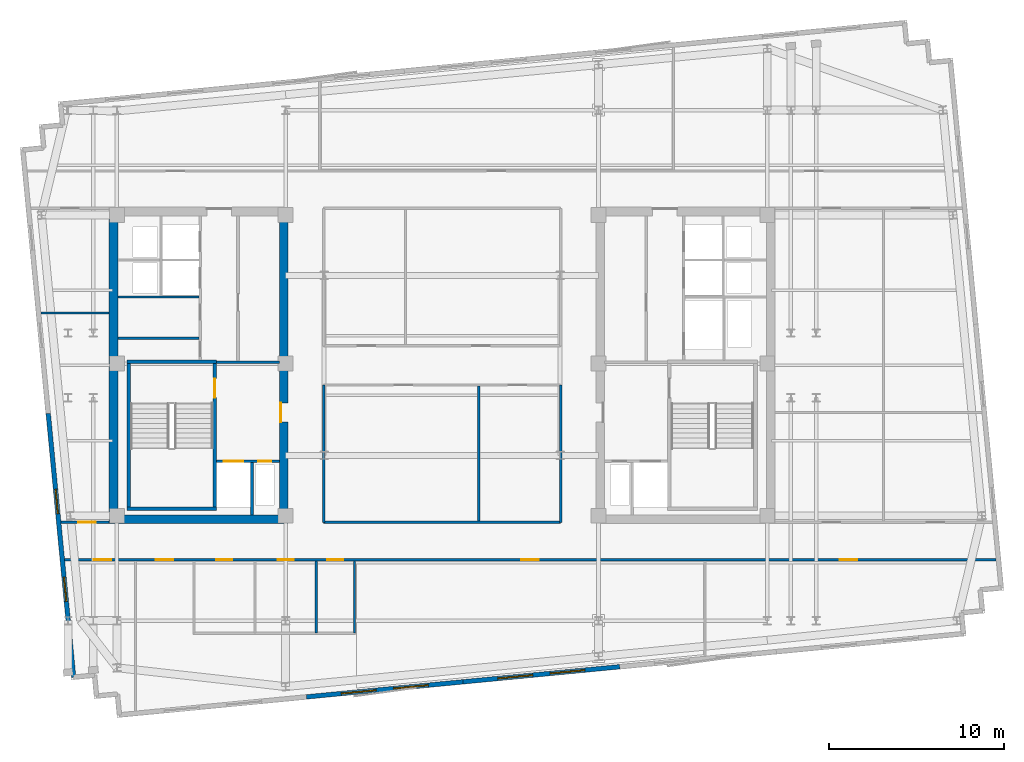
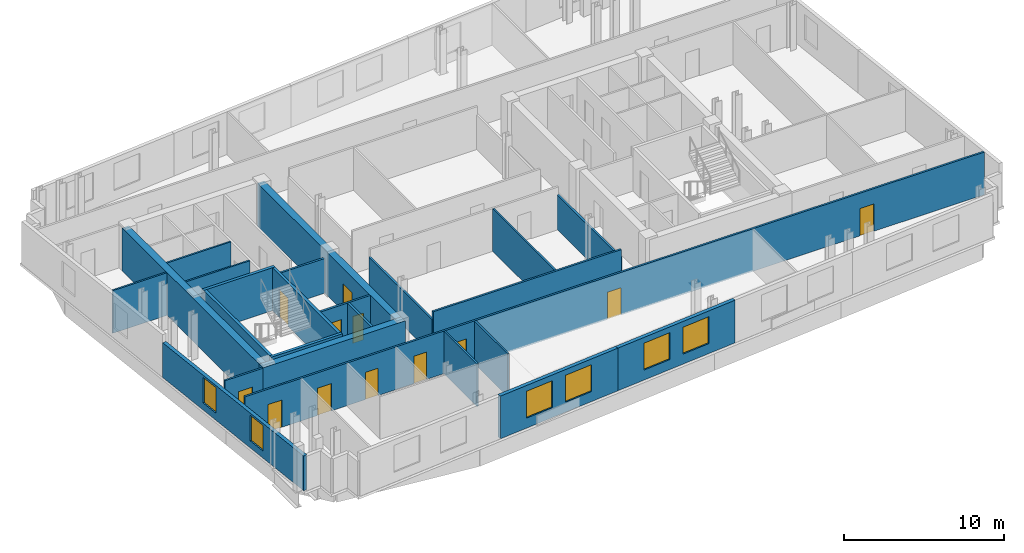
# One storey, part 3 of 8: 24 walls, 12 doors, 6 windows, 18 openings.
"""IFC4 building model written with IfcOpenShell, lengths in metres."""

from ifc_helpers import new_model, si_unit, direction, frame, frame_2d, origin, place, context, subcontext, project, spatial, rectangle, extrude, material, layer, layer_set, type_object, element, fill, save


model = new_model("IFC4")

# Units and contexts
model_context = context("Model", 3, precision=1e-05, world=origin(), true_north=direction((0.0, 1.0)))
body_context = subcontext(model_context, "Body", "Model", "MODEL_VIEW")
ifc_project = project(units=[si_unit("LENGTHUNIT", "METRE"), si_unit("AREAUNIT", "SQUARE_METRE"), si_unit("VOLUMEUNIT", "CUBIC_METRE"), si_unit("PLANEANGLEUNIT", "RADIAN"), si_unit("MASSUNIT", "GRAM", prefix="KILO")], contexts=[model_context])

# Site, building, storey
site_placement = place(None, origin())
site = spatial("IfcSite", under=ifc_project, at=site_placement, CompositionType="ELEMENT")
building_placement = place(site_placement, origin())
building = spatial("IfcBuilding", under=site, at=building_placement, Name="Velakula Bourse", CompositionType="ELEMENT")
storey_placement = place(building_placement, frame((0.0, 0.0, 251.699951171875)))
storey = spatial("IfcBuildingStorey", under=building, at=storey_placement, Name="L68", CompositionType="ELEMENT", Elevation=251.699951171875)

# Wall, opening, door
ifc_material_1 = material(Name="Concrete M50 (fck 50 MPa)", Category="concrete")
ifc_layer_1 = layer(ifc_material_1, 0.2099609375, Name="Concrete M50 (fck 50 MPa)", Category="concrete")
ifc_layer_set_1 = layer_set([ifc_layer_1], Name="Concrete M50 (fck 50 MPa)")
wall_type_1 = type_object("IfcWallType", Name="WL-CORE-210", PredefinedType="SHEAR", material=ifc_layer_set_1)
wall_1_placement = place(storey_placement, frame((-12.9951171875, -8.10009765625, 0.0), z_axis=(0.0, 0.0, 1.0), x_axis=(0.0, 1.0, 0.0)))
wall_1 = element("IfcWall", 1, at=wall_1_placement, inside=storey, type_object=wall_type_1, Name="L68 Core W Stairwell Shear Wall IN", PredefinedType="SHEAR", context=body_context, shape_type="SweptSolid", body=[
    extrude(rectangle(XDim=8.2001953125, YDim=0.2099609375, at=frame_2d((4.10009765625, 0.0))), origin(), (0.0, 0.0, 1.0), 3.27001953125),
])
opening_1_placement = place(wall_1_placement, frame((6.25, 0.0, 0.0)))
opening_1 = element("IfcOpeningElement", 2, at=opening_1_placement, cuts=wall_1, Name="Opening D-STW1", PredefinedType="OPENING", context=body_context, shape_type="SweptSolid", body=[
    extrude(rectangle(XDim=1.10009765625, YDim=2.14990234375, at=frame_2d((0.550048828125, 1.074951171875))), frame((0.0, 0.114990234375, 0.0), z_axis=(0.0, -1.0, 0.0), x_axis=(1.0, 0.0, 0.0)), (0.0, 0.0, 1.0), 0.22998046875),
])
ifc_material_2 = material(Name="Galvanised painted hollow steel fire door", Category="steel")
door_type_1 = type_object("IfcDoorType", Name="DR-FD120-1100x2150", OperationType="NOTDEFINED", PredefinedType="DOOR", material=ifc_material_2)
door_1_placement = place(opening_1_placement, origin())
door_1 = element("IfcDoor", 3, at=door_1_placement, inside=storey, type_object=door_type_1, Name="L68 Stair ST-W1 Fire Door", OperationType="SINGLE_SWING_LEFT", OverallHeight=2.14990234375, OverallWidth=1.10009765625, PredefinedType="DOOR", context=body_context, shape_type="SweptSolid", body=[
    extrude(rectangle(XDim=1.10009765625, YDim=2.14990234375, at=frame_2d((0.550048828125, 1.074951171875))), frame((0.0, 0.02490234375, 0.0), z_axis=(0.0, -1.0, 0.0), x_axis=(1.0, 0.0, 0.0)), (0.0, 0.0, 1.0), 0.050048828125),
])
fill(opening_1, door_1)

# Walls
wall_2_placement = place(storey_placement, frame((-17.925048828125, -8.10009765625, 0.0), z_axis=(0.0, 0.0, 1.0), x_axis=(0.0, 1.0, 0.0)))
element("IfcWall", 4, at=wall_2_placement, inside=storey, type_object=wall_type_1, Name="L68 Core W Stairwell Shear Wall OUT", PredefinedType="SHEAR", context=body_context, shape_type="SweptSolid", body=[
    extrude(rectangle(XDim=8.2001953125, YDim=0.2099609375, at=frame_2d((4.10009765625, 0.0))), origin(), (0.0, 0.0, 1.0), 3.27001953125),
])
for number, where, z_axis, x_axis, name in (
    (5, (-18.030029296875, -8.205078125, 0.0), (0.0, 0.0, 1.0), (1.0, 0.0, 0.0), "L68 Core W Stairwell Shear Wall S"),
    (6, (-12.889892578125, 0.205078125, 0.0), (0.0, 0.0, 1.0), (-1.0, 0.0, 0.0), "L68 Core W Stairwell Shear Wall N"),
):
    element("IfcWall", number, at=place(storey_placement, frame(where, z_axis=z_axis, x_axis=x_axis)), inside=storey, type_object=wall_type_1, Name=name, PredefinedType="SHEAR", context=body_context, shape_type="SweptSolid", body=[
        extrude(rectangle(XDim=5.14013671875, YDim=0.2099609375, at=frame_2d((2.570068359375, 0.0))), origin(), (0.0, 0.0, 1.0), 3.27001953125),
    ])
ifc_layer_2 = layer(ifc_material_1, 0.5, Name="Concrete M50 (fck 50 MPa)", Category="concrete")
ifc_layer_set_2 = layer_set([ifc_layer_2], Name="Concrete M50 (fck 50 MPa)")
wall_type_2 = type_object("IfcWallType", Name="WL-CORE-500", PredefinedType="SHEAR", material=ifc_layer_set_2)
wall_3_placement = place(storey_placement, frame((-19.050048828125, -8.800048828125, 0.0), z_axis=(0.0, 0.0, 1.0), x_axis=(1.0, 0.0, 0.0)))
element("IfcWall", 7, at=wall_3_placement, inside=storey, type_object=wall_type_2, Name="L68 Core W Shear Wall S", PredefinedType="SHEAR", context=body_context, shape_type="SweptSolid", body=[
    extrude(rectangle(XDim=10.25, YDim=0.5, at=frame_2d((5.125, 0.0))), origin(), (0.0, 0.0, 1.0), 3.27001953125),
])
wall_4_placement = place(storey_placement, frame((-18.800048828125, -8.550048828125, 0.0), z_axis=(0.0, 0.0, 1.0), x_axis=(0.0, 1.0, 0.0)))
element("IfcWall", 8, at=wall_4_placement, inside=storey, type_object=wall_type_2, Name="L68 Core W Shear Wall W", PredefinedType="SHEAR", context=body_context, shape_type="SweptSolid", body=[
    extrude(rectangle(XDim=17.10009765625, YDim=0.5, at=frame_2d((8.550048828125, 0.0))), origin(), (0.0, 0.0, 1.0), 3.27001953125),
])

# Wall, opening, door
wall_5_placement = place(storey_placement, frame((-9.050048828125, -8.550048828125, 0.0), z_axis=(0.0, 0.0, 1.0), x_axis=(0.0, 1.0, 0.0)))
wall_5 = element("IfcWall", 9, at=wall_5_placement, inside=storey, type_object=wall_type_2, Name="L68 Core W Shear Wall E", PredefinedType="SHEAR", context=body_context, shape_type="SweptSolid", body=[
    extrude(rectangle(XDim=17.10009765625, YDim=0.5, at=frame_2d((8.550048828125, 0.0))), origin(), (0.0, 0.0, 1.0), 3.27001953125),
])
opening_2_placement = place(wall_5_placement, frame((5.300048828125, 0.0, 0.0)))
opening_2 = element("IfcOpeningElement", 10, at=opening_2_placement, cuts=wall_5, Name="Opening D-FLW", PredefinedType="OPENING", context=body_context, shape_type="SweptSolid", body=[
    extrude(rectangle(XDim=1.10009765625, YDim=2.080078125, at=frame_2d((0.550048828125, 1.0400390625))), frame((0.0, 0.260009765625, 0.0), z_axis=(0.0, -1.0, 0.0), x_axis=(1.0, 0.0, 0.0)), (0.0, 0.0, 1.0), 0.52001953125),
])
door_type_2 = type_object("IfcDoorType", Name="DR-FD120-1100", OperationType="NOTDEFINED", PredefinedType="DOOR", material=ifc_material_2)
door_2_placement = place(opening_2_placement, origin())
door_2 = element("IfcDoor", 11, at=door_2_placement, inside=storey, type_object=door_type_2, Name="L68 Firefighting Lobby W Corridor Fire Door", OperationType="SINGLE_SWING_LEFT", OverallHeight=2.080078125, OverallWidth=1.10009765625, PredefinedType="DOOR", context=body_context, shape_type="SweptSolid", body=[
    extrude(rectangle(XDim=1.10009765625, YDim=2.080078125, at=frame_2d((0.550048828125, 1.0400390625))), frame((0.0, 0.205078125, 0.0), z_axis=(0.0, -1.0, 0.0), x_axis=(1.0, 0.0, 0.0)), (0.0, 0.0, 1.0), 0.050048828125),
])
fill(opening_2, door_2)

# Wall, openings, windows
ifc_material_3 = material(Name="Buff kilned clay facing brick masonry", Category="masonry")
ifc_layer_3 = layer(ifc_material_3, 0.260009765625, Name="Buff kilned clay facing brick masonry", Category="masonry")
ifc_layer_set_3 = layer_set([ifc_layer_3], Name="Buff kilned clay facing brick masonry")
wall_type_3 = type_object("IfcWallType", Name="WL-EXT-BRK-260", PredefinedType="STANDARD", material=ifc_layer_set_3)
wall_6_placement = place(storey_placement, frame((1.202880859375, -18.1005859375, 0.0), z_axis=(0.0, 0.0, 1.0), x_axis=(-0.995397043619, -0.095836973841, 0.0)))
wall_6 = element("IfcWall", 12, at=wall_6_placement, inside=storey, type_object=wall_type_3, Name="L68 S Brick Spandrel Wall B2", PredefinedType="STANDARD", context=body_context, shape_type="SweptSolid", body=[
    extrude(rectangle(XDim=9.000244140625, YDim=0.260009765625, at=frame_2d((4.5, 0.0))), origin(), (0.0, 0.0, 1.0), 3.25),
])
opening_3_placement = place(wall_6_placement, frame((2.0, 0.0, 0.760009765625)))
opening_3 = element("IfcOpeningElement", 13, at=opening_3_placement, cuts=wall_6, Name="Opening W-05", PredefinedType="OPENING", context=body_context, shape_type="SweptSolid", body=[
    extrude(rectangle(XDim=2.0, YDim=2.050048828125, at=frame_2d((1.0, 1.02490234375))), frame((0.0, 0.139892578125, 0.0), z_axis=(0.0, -1.0, 0.0), x_axis=(1.0, 0.0, 0.0)), (0.0, 0.0, 1.0), 0.280029296875),
])
opening_4_placement = place(wall_6_placement, frame((5.0, 0.0, 0.760009765625)))
opening_4 = element("IfcOpeningElement", 14, at=opening_4_placement, cuts=wall_6, Name="Opening W-05", PredefinedType="OPENING", context=body_context, shape_type="SweptSolid", body=[
    extrude(rectangle(XDim=2.0, YDim=2.050048828125, at=frame_2d((1.0, 1.02490234375))), frame((0.0, 0.139892578125, 0.0), z_axis=(0.0, -1.0, 0.0), x_axis=(1.0, 0.0, 0.0)), (0.0, 0.0, 1.0), 0.280029296875),
])
ifc_material_4 = material(Name="Double-glazed solar-control Low-E glass", Category="glass")
window_type_1 = type_object("IfcWindowType", Name="WIN-TWR-2000x2200", PartitioningType="DOUBLE_PANEL_VERTICAL", PredefinedType="WINDOW", material=ifc_material_4)
window_1_placement = place(opening_3_placement, origin())
window_1 = element("IfcWindow", 15, at=window_1_placement, inside=storey, type_object=window_type_1, Name="L68 Deep-Set Recessed Window 1", OverallHeight=2.050048828125, OverallWidth=2.0, PartitioningType="DOUBLE_PANEL_VERTICAL", PredefinedType="WINDOW", context=body_context, shape_type="SweptSolid", body=[
    extrude(rectangle(XDim=2.0, YDim=2.050048828125, at=frame_2d((1.0, 1.02490234375))), frame((0.0, 0.030029296875, 0.0), z_axis=(0.0, -1.0, 0.0), x_axis=(1.0, 0.0, 0.0)), (0.0, 0.0, 1.0), 0.06005859375),
])
fill(opening_3, window_1)
window_2_placement = place(opening_4_placement, origin())
window_2 = element("IfcWindow", 16, at=window_2_placement, inside=storey, type_object=window_type_1, Name="L68 Deep-Set Recessed Window 2", OverallHeight=2.050048828125, OverallWidth=2.0, PartitioningType="DOUBLE_PANEL_VERTICAL", PredefinedType="WINDOW", context=body_context, shape_type="SweptSolid", body=[
    extrude(rectangle(XDim=2.0, YDim=2.050048828125, at=frame_2d((1.0, 1.02490234375))), frame((0.0, 0.030029296875, 0.0), z_axis=(0.0, -1.0, 0.0), x_axis=(1.0, 0.0, 0.0)), (0.0, 0.0, 1.0), 0.06005859375),
])
fill(opening_4, window_2)

wall_7_placement = place(storey_placement, frame((10.161376953125, -17.23779296875, 0.0), z_axis=(0.0, 0.0, 1.0), x_axis=(-0.995394206237, -0.095866439332, 0.0)))
wall_7 = element("IfcWall", 17, at=wall_7_placement, inside=storey, type_object=wall_type_3, Name="L68 S Brick Spandrel Wall B3", PredefinedType="STANDARD", context=body_context, shape_type="SweptSolid", body=[
    extrude(rectangle(XDim=9.0, YDim=0.260009765625, at=frame_2d((4.5, 0.0))), origin(), (0.0, 0.0, 1.0), 3.25),
])
opening_5_placement = place(wall_7_placement, frame((2.0, 0.0, 0.760009765625)))
opening_5 = element("IfcOpeningElement", 18, at=opening_5_placement, cuts=wall_7, Name="Opening W-05", PredefinedType="OPENING", context=body_context, shape_type="SweptSolid", body=[
    extrude(rectangle(XDim=2.0, YDim=2.050048828125, at=frame_2d((1.0, 1.02490234375))), frame((0.0, 0.139892578125, 0.0), z_axis=(0.0, -1.0, 0.0), x_axis=(1.0, 0.0, 0.0)), (0.0, 0.0, 1.0), 0.280029296875),
])
opening_6_placement = place(wall_7_placement, frame((5.0, 0.0, 0.760009765625)))
opening_6 = element("IfcOpeningElement", 19, at=opening_6_placement, cuts=wall_7, Name="Opening W-05", PredefinedType="OPENING", context=body_context, shape_type="SweptSolid", body=[
    extrude(rectangle(XDim=2.0, YDim=2.050048828125, at=frame_2d((1.0, 1.02490234375))), frame((0.0, 0.139892578125, 0.0), z_axis=(0.0, -1.0, 0.0), x_axis=(1.0, 0.0, 0.0)), (0.0, 0.0, 1.0), 0.280029296875),
])
window_3_placement = place(opening_5_placement, origin())
window_3 = element("IfcWindow", 20, at=window_3_placement, inside=storey, type_object=window_type_1, Name="L68 Deep-Set Recessed Window 1", OverallHeight=2.050048828125, OverallWidth=2.0, PartitioningType="DOUBLE_PANEL_VERTICAL", PredefinedType="WINDOW", context=body_context, shape_type="SweptSolid", body=[
    extrude(rectangle(XDim=2.0, YDim=2.050048828125, at=frame_2d((1.0, 1.02490234375))), frame((0.0, 0.030029296875, 0.0), z_axis=(0.0, -1.0, 0.0), x_axis=(1.0, 0.0, 0.0)), (0.0, 0.0, 1.0), 0.06005859375),
])
fill(opening_5, window_3)
window_4_placement = place(opening_6_placement, origin())
window_4 = element("IfcWindow", 21, at=window_4_placement, inside=storey, type_object=window_type_1, Name="L68 Deep-Set Recessed Window 2", OverallHeight=2.050048828125, OverallWidth=2.0, PartitioningType="DOUBLE_PANEL_VERTICAL", PredefinedType="WINDOW", context=body_context, shape_type="SweptSolid", body=[
    extrude(rectangle(XDim=2.0, YDim=2.050048828125, at=frame_2d((1.0, 1.02490234375))), frame((0.0, 0.030029296875, 0.0), z_axis=(0.0, -1.0, 0.0), x_axis=(1.0, 0.0, 0.0)), (0.0, 0.0, 1.0), 0.06005859375),
])
fill(opening_6, window_4)

wall_8_placement = place(storey_placement, frame((-21.0751953125, -17.83447265625, 0.0), z_axis=(0.0, 0.0, 1.0), x_axis=(-0.095852427869, 0.995395555582, 0.0)))
wall_8 = element("IfcWall", 22, at=wall_8_placement, inside=storey, type_object=wall_type_3, Name="L68 W Brick End Wall W1", PredefinedType="STANDARD", context=body_context, shape_type="SweptSolid", body=[
    extrude(rectangle(XDim=15.14990234375, YDim=0.260009765625, at=frame_2d((7.574951171875, 0.0))), origin(), (0.0, 0.0, 1.0), 2.64501953125),
])
opening_7_placement = place(wall_8_placement, frame((4.35009765625, 0.0, 0.534912109375)))
opening_7 = element("IfcOpeningElement", 23, at=opening_7_placement, cuts=wall_8, Name="Opening W-03", PredefinedType="OPENING", context=body_context, shape_type="SweptSolid", body=[
    extrude(rectangle(XDim=1.39990234375, YDim=1.949951171875, at=frame_2d((0.699951171875, 0.97509765625))), frame((0.0, 0.139892578125, 0.0), z_axis=(0.0, -1.0, 0.0), x_axis=(1.0, 0.0, 0.0)), (0.0, 0.0, 1.0), 0.280029296875),
])
opening_8_placement = place(wall_8_placement, frame((9.39990234375, 0.0, 0.534912109375)))
opening_8 = element("IfcOpeningElement", 24, at=opening_8_placement, cuts=wall_8, Name="Opening W-03", PredefinedType="OPENING", context=body_context, shape_type="SweptSolid", body=[
    extrude(rectangle(XDim=1.39990234375, YDim=1.949951171875, at=frame_2d((0.699951171875, 0.97509765625))), frame((0.0, 0.139892578125, 0.0), z_axis=(0.0, -1.0, 0.0), x_axis=(1.0, 0.0, 0.0)), (0.0, 0.0, 1.0), 0.280029296875),
])
window_type_2 = type_object("IfcWindowType", Name="WIN-TWR-1400x2100", PartitioningType="SINGLE_PANEL", PredefinedType="WINDOW", material=ifc_material_4)
window_5_placement = place(opening_7_placement, origin())
window_5 = element("IfcWindow", 25, at=window_5_placement, inside=storey, type_object=window_type_2, Name="L68 Deep-Set Recessed Window 1", OverallHeight=1.949951171875, OverallWidth=1.39990234375, PartitioningType="SINGLE_PANEL", PredefinedType="WINDOW", context=body_context, shape_type="SweptSolid", body=[
    extrude(rectangle(XDim=1.39990234375, YDim=1.949951171875, at=frame_2d((0.699951171875, 0.97509765625))), frame((0.0, 0.030029296875, 0.0), z_axis=(0.0, -1.0, 0.0), x_axis=(1.0, 0.0, 0.0)), (0.0, 0.0, 1.0), 0.06005859375),
])
fill(opening_7, window_5)
window_6_placement = place(opening_8_placement, origin())
window_6 = element("IfcWindow", 26, at=window_6_placement, inside=storey, type_object=window_type_2, Name="L68 Deep-Set Recessed Window 2", OverallHeight=1.949951171875, OverallWidth=1.39990234375, PartitioningType="SINGLE_PANEL", PredefinedType="WINDOW", context=body_context, shape_type="SweptSolid", body=[
    extrude(rectangle(XDim=1.39990234375, YDim=1.949951171875, at=frame_2d((0.699951171875, 0.97509765625))), frame((0.0, 0.030029296875, 0.0), z_axis=(0.0, -1.0, 0.0), x_axis=(1.0, 0.0, 0.0)), (0.0, 0.0, 1.0), 0.06005859375),
])
fill(opening_8, window_6)

# Walls
ifc_material_5 = material(Name="Fire-rated double-layer gypsum drywall partition", Category="gypsum")
ifc_layer_4 = layer(ifc_material_5, 0.1201171875, Name="Fire-rated double-layer gypsum drywall partition", Category="gypsum")
ifc_layer_set_4 = layer_set([ifc_layer_4], Name="Fire-rated double-layer gypsum drywall partition")
wall_type_4 = type_object("IfcWallType", Name="WL-PART-120", PredefinedType="STANDARD", material=ifc_layer_set_4)
for number, where, z_axis, x_axis, name in (
    (27, (-18.550048828125, 3.919921875, 0.0), (0.0, 0.0, 1.0), (1.0, 0.0, 0.0), "L68 Interior Partition WL-CRW-L68-HI-S"),
    (28, (-18.550048828125, 1.550048828125, 0.0), (0.0, 0.0, 1.0), (1.0, 0.0, 0.0), "L68 Interior Partition WL-CRW-L68-K1"),
):
    element("IfcWall", number, at=place(storey_placement, frame(where, z_axis=z_axis, x_axis=x_axis)), inside=storey, type_object=wall_type_4, Name=name, PredefinedType="STANDARD", context=body_context, shape_type="SweptSolid", body=[
        extrude(rectangle(XDim=4.650146484375, YDim=0.1201171875, at=frame_2d((2.3251953125, 0.0))), origin(), (0.0, 0.0, 1.0), 3.25),
    ])
for number, where, z_axis, x_axis, name in (
    (29, (-7.199951171875, -15.320068359375, 0.0), (0.0, 0.0, 1.0), (0.0, 1.0, 0.0), "L68 Interior Partition WL-WC-L68-V3"),
    (30, (-5.0, -15.320068359375, 0.0), (0.0, 0.0, 1.0), (0.0, 1.0, 0.0), "L68 Interior Partition WL-WC-L68-V4"),
):
    element("IfcWall", number, at=place(storey_placement, frame(where, z_axis=z_axis, x_axis=x_axis)), inside=storey, type_object=wall_type_4, Name=name, PredefinedType="STANDARD", context=body_context, shape_type="SweptSolid", body=[
        extrude(rectangle(XDim=4.130126953125, YDim=0.1201171875, at=frame_2d((2.06494140625, 0.0))), origin(), (0.0, 0.0, 1.0), 3.25),
    ])
wall_9_placement = place(storey_placement, frame((-22.95068359375, 3.0, 0.0), z_axis=(0.0, 0.0, 1.0), x_axis=(1.0, 0.0, 0.0)))
element("IfcWall", 31, at=wall_9_placement, inside=storey, type_object=wall_type_4, Name="L68 Interior Partition WL-INT-L68-W-H", PredefinedType="STANDARD", context=body_context, shape_type="SweptSolid", body=[
    extrude(rectangle(XDim=3.900634765625, YDim=0.1201171875, at=frame_2d((1.9501953125, 0.0))), origin(), (0.0, 0.0, 1.0), 3.25),
])

# Wall, openings, doors
ifc_layer_5 = layer(ifc_material_5, 0.139892578125, Name="Fire-rated double-layer gypsum drywall partition", Category="gypsum")
ifc_layer_set_5 = layer_set([ifc_layer_5], Name="Fire-rated double-layer gypsum drywall partition")
wall_type_5 = type_object("IfcWallType", Name="WL-PART-140", PredefinedType="STANDARD", material=ifc_layer_set_5)
wall_10_placement = place(storey_placement, frame((-21.59130859375, -11.1201171875, 0.0), z_axis=(0.0, 0.0, 1.0), x_axis=(1.0, 0.0, 0.0)))
wall_10 = element("IfcWall", 32, at=wall_10_placement, inside=storey, type_object=wall_type_5, Name="L68 Interior Partition WL-INT-L68-S-CORR", PredefinedType="STANDARD", context=body_context, shape_type="SweptSolid", body=[
    extrude(rectangle(XDim=53.285400390625, YDim=0.139892578125, at=frame_2d((26.642578125, 0.0))), origin(), (0.0, 0.0, 1.0), 3.25),
])
opening_9_placement = place(wall_10_placement, frame((8.68115234375, 0.0, 0.0)))
opening_9 = element("IfcOpeningElement", 33, at=opening_9_placement, cuts=wall_10, Name="Opening D-WT1", PredefinedType="OPENING", context=body_context, shape_type="SweptSolid", body=[
    extrude(rectangle(XDim=0.919921875, YDim=2.080078125, at=frame_2d((0.4599609375, 1.0400390625))), frame((0.0, 0.079833984375, 0.0), z_axis=(0.0, -1.0, 0.0), x_axis=(1.0, 0.0, 0.0)), (0.0, 0.0, 1.0), 0.159912109375),
])
opening_10_placement = place(wall_10_placement, frame((12.18115234375, 0.0, 0.0)))
opening_10 = element("IfcOpeningElement", 34, at=opening_10_placement, cuts=wall_10, Name="Opening D-WT1", PredefinedType="OPENING", context=body_context, shape_type="SweptSolid", body=[
    extrude(rectangle(XDim=0.919921875, YDim=2.080078125, at=frame_2d((0.4599609375, 1.0400390625))), frame((0.0, 0.079833984375, 0.0), z_axis=(0.0, -1.0, 0.0), x_axis=(1.0, 0.0, 0.0)), (0.0, 0.0, 1.0), 0.159912109375),
])
opening_11_placement = place(wall_10_placement, frame((15.03125, 0.0, 0.0)))
opening_11 = element("IfcOpeningElement", 35, at=opening_11_placement, cuts=wall_10, Name="Opening D-WC1", PredefinedType="OPENING", context=body_context, shape_type="SweptSolid", body=[
    extrude(rectangle(XDim=0.919921875, YDim=2.080078125, at=frame_2d((0.4599609375, 1.0400390625))), frame((0.0, 0.079833984375, 0.0), z_axis=(0.0, -1.0, 0.0), x_axis=(1.0, 0.0, 0.0)), (0.0, 0.0, 1.0), 0.159912109375),
])
opening_12_placement = place(wall_10_placement, frame((1.655517578125, 0.0, 0.0)))
opening_12 = element("IfcOpeningElement", 36, at=opening_12_placement, cuts=wall_10, Name="Opening D-OF1", PredefinedType="OPENING", context=body_context, shape_type="SweptSolid", body=[
    extrude(rectangle(XDim=1.0, YDim=2.080078125, at=frame_2d((0.5, 1.0400390625))), frame((0.0, 0.079833984375, 0.0), z_axis=(0.0, -1.0, 0.0), x_axis=(1.0, 0.0, 0.0)), (0.0, 0.0, 1.0), 0.159912109375),
])
opening_13_placement = place(wall_10_placement, frame((5.22509765625, 0.0, 0.0)))
opening_13 = element("IfcOpeningElement", 37, at=opening_13_placement, cuts=wall_10, Name="Opening D-OF1", PredefinedType="OPENING", context=body_context, shape_type="SweptSolid", body=[
    extrude(rectangle(XDim=1.0, YDim=2.080078125, at=frame_2d((0.5, 1.0400390625))), frame((0.0, 0.079833984375, 0.0), z_axis=(0.0, -1.0, 0.0), x_axis=(1.0, 0.0, 0.0)), (0.0, 0.0, 1.0), 0.159912109375),
])
opening_14_placement = place(wall_10_placement, frame((26.11181640625, 0.0, 0.0)))
opening_14 = element("IfcOpeningElement", 38, at=opening_14_placement, cuts=wall_10, Name="Opening D-OF1", PredefinedType="OPENING", context=body_context, shape_type="SweptSolid", body=[
    extrude(rectangle(XDim=1.0, YDim=2.080078125, at=frame_2d((0.5, 1.0400390625))), frame((0.0, 0.079833984375, 0.0), z_axis=(0.0, -1.0, 0.0), x_axis=(1.0, 0.0, 0.0)), (0.0, 0.0, 1.0), 0.159912109375),
])
opening_15_placement = place(wall_10_placement, frame((44.332763671875, 0.0, 0.0)))
opening_15 = element("IfcOpeningElement", 39, at=opening_15_placement, cuts=wall_10, Name="Opening D-OF1", PredefinedType="OPENING", context=body_context, shape_type="SweptSolid", body=[
    extrude(rectangle(XDim=1.0, YDim=2.080078125, at=frame_2d((0.5, 1.0400390625))), frame((0.0, 0.079833984375, 0.0), z_axis=(0.0, -1.0, 0.0), x_axis=(1.0, 0.0, 0.0)), (0.0, 0.0, 1.0), 0.159912109375),
])
ifc_material_6 = material(Name="Fire-rated hardwood flush architectural door", Category="wood")
door_type_3 = type_object("IfcDoorType", Name="DR-OFF-1000", OperationType="NOTDEFINED", PredefinedType="DOOR", material=ifc_material_6)
door_3_placement = place(opening_12_placement, origin())
door_3 = element("IfcDoor", 40, at=door_3_placement, inside=storey, type_object=door_type_3, Name="L68 Economic Reference Library Door", OperationType="SINGLE_SWING_LEFT", OverallHeight=2.080078125, OverallWidth=1.0, PredefinedType="DOOR", context=body_context, shape_type="SweptSolid", body=[
    extrude(rectangle(XDim=1.0, YDim=2.080078125, at=frame_2d((0.5, 1.0400390625))), frame((0.0, 0.02490234375, 0.0), z_axis=(0.0, -1.0, 0.0), x_axis=(1.0, 0.0, 0.0)), (0.0, 0.0, 1.0), 0.050048828125),
])
fill(opening_12, door_3)
door_4_placement = place(opening_13_placement, origin())
door_4 = element("IfcDoor", 41, at=door_4_placement, inside=storey, type_object=door_type_3, Name="L68 Legal Counsel Office Door", OperationType="SINGLE_SWING_RIGHT", OverallHeight=2.080078125, OverallWidth=1.0, PredefinedType="DOOR", context=body_context, shape_type="SweptSolid", body=[
    extrude(rectangle(XDim=1.0, YDim=2.080078125, at=frame_2d((0.5, 1.0400390625))), frame((0.0, 0.02490234375, 0.0), z_axis=(0.0, -1.0, 0.0), x_axis=(1.0, 0.0, 0.0)), (0.0, 0.0, 1.0), 0.050048828125),
])
fill(opening_13, door_4)
door_5_placement = place(opening_14_placement, origin())
door_5 = element("IfcDoor", 42, at=door_5_placement, inside=storey, type_object=door_type_3, Name="L68 Risk Review Boardroom Door", OperationType="SINGLE_SWING_LEFT", OverallHeight=2.080078125, OverallWidth=1.0, PredefinedType="DOOR", context=body_context, shape_type="SweptSolid", body=[
    extrude(rectangle(XDim=1.0, YDim=2.080078125, at=frame_2d((0.5, 1.0400390625))), frame((0.0, 0.02490234375, 0.0), z_axis=(0.0, -1.0, 0.0), x_axis=(1.0, 0.0, 0.0)), (0.0, 0.0, 1.0), 0.050048828125),
])
fill(opening_14, door_5)
door_6_placement = place(opening_15_placement, origin())
door_6 = element("IfcDoor", 43, at=door_6_placement, inside=storey, type_object=door_type_3, Name="L68 Catering Servery Pantry Door", OperationType="SINGLE_SWING_RIGHT", OverallHeight=2.080078125, OverallWidth=1.0, PredefinedType="DOOR", context=body_context, shape_type="SweptSolid", body=[
    extrude(rectangle(XDim=1.0, YDim=2.080078125, at=frame_2d((0.5, 1.0400390625))), frame((0.0, 0.02490234375, 0.0), z_axis=(0.0, -1.0, 0.0), x_axis=(1.0, 0.0, 0.0)), (0.0, 0.0, 1.0), 0.050048828125),
])
fill(opening_15, door_6)
door_type_4 = type_object("IfcDoorType", Name="DR-WC-950", OperationType="NOTDEFINED", PredefinedType="DOOR", material=ifc_material_6)
door_7_placement = place(opening_9_placement, origin())
door_7 = element("IfcDoor", 44, at=door_7_placement, inside=storey, type_object=door_type_4, Name="L68 Male Staff Toilet Door", OperationType="SINGLE_SWING_RIGHT", OverallHeight=2.080078125, OverallWidth=0.919921875, PredefinedType="DOOR", context=body_context, shape_type="SweptSolid", body=[
    extrude(rectangle(XDim=0.919921875, YDim=2.080078125, at=frame_2d((0.4599609375, 1.0400390625))), frame((0.0, 0.02490234375, 0.0), z_axis=(0.0, -1.0, 0.0), x_axis=(1.0, 0.0, 0.0)), (0.0, 0.0, 1.0), 0.050048828125),
])
fill(opening_9, door_7)
door_8_placement = place(opening_10_placement, origin())
door_8 = element("IfcDoor", 45, at=door_8_placement, inside=storey, type_object=door_type_4, Name="L68 Female Staff Toilet Door", OperationType="SINGLE_SWING_LEFT", OverallHeight=2.080078125, OverallWidth=0.919921875, PredefinedType="DOOR", context=body_context, shape_type="SweptSolid", body=[
    extrude(rectangle(XDim=0.919921875, YDim=2.080078125, at=frame_2d((0.4599609375, 1.0400390625))), frame((0.0, 0.02490234375, 0.0), z_axis=(0.0, -1.0, 0.0), x_axis=(1.0, 0.0, 0.0)), (0.0, 0.0, 1.0), 0.050048828125),
])
fill(opening_10, door_8)
door_9_placement = place(opening_11_placement, origin())
door_9 = element("IfcDoor", 46, at=door_9_placement, inside=storey, type_object=door_type_4, Name="L68 Accessible WC Door", OperationType="SINGLE_SWING_RIGHT", OverallHeight=2.080078125, OverallWidth=0.919921875, PredefinedType="DOOR", context=body_context, shape_type="SweptSolid", body=[
    extrude(rectangle(XDim=0.919921875, YDim=2.080078125, at=frame_2d((0.4599609375, 1.0400390625))), frame((0.0, 0.02490234375, 0.0), z_axis=(0.0, -1.0, 0.0), x_axis=(1.0, 0.0, 0.0)), (0.0, 0.0, 1.0), 0.050048828125),
])
fill(opening_11, door_9)

# Wall, opening, door
wall_11_placement = place(storey_placement, frame((-21.797119140625, -8.97998046875, 0.0), z_axis=(0.0, 0.0, 1.0), x_axis=(1.0, 0.0, 0.0)))
wall_11 = element("IfcWall", 47, at=wall_11_placement, inside=storey, type_object=wall_type_5, Name="L68 Interior Partition WL-INT-L68-W-SC", PredefinedType="STANDARD", context=body_context, shape_type="SweptSolid", body=[
    extrude(rectangle(XDim=2.7470703125, YDim=0.139892578125, at=frame_2d((1.37353515625, 0.0))), origin(), (0.0, 0.0, 1.0), 3.25),
])
opening_16_placement = place(wall_11_placement, frame((0.984375, 0.0, 0.0)))
opening_16 = element("IfcOpeningElement", 48, at=opening_16_placement, cuts=wall_11, Name="Opening D-OF1", PredefinedType="OPENING", context=body_context, shape_type="SweptSolid", body=[
    extrude(rectangle(XDim=1.0, YDim=2.080078125, at=frame_2d((0.5, 1.0400390625))), frame((0.0, 0.079833984375, 0.0), z_axis=(0.0, -1.0, 0.0), x_axis=(1.0, 0.0, 0.0)), (0.0, 0.0, 1.0), 0.159912109375),
])
door_10_placement = place(opening_16_placement, origin())
door_10 = element("IfcDoor", 49, at=door_10_placement, inside=storey, type_object=door_type_3, Name="L68 Sovereign Wealth Desk Workspace Door", OperationType="SINGLE_SWING_RIGHT", OverallHeight=2.080078125, OverallWidth=1.0, PredefinedType="DOOR", context=body_context, shape_type="SweptSolid", body=[
    extrude(rectangle(XDim=1.0, YDim=2.080078125, at=frame_2d((0.5, 1.0400390625))), frame((0.0, 0.02490234375, 0.0), z_axis=(0.0, -1.0, 0.0), x_axis=(1.0, 0.0, 0.0)), (0.0, 0.0, 1.0), 0.050048828125),
])
fill(opening_16, door_10)

# Walls
wall_12_placement = place(storey_placement, frame((-6.780029296875, -8.97998046875, 0.0), z_axis=(0.0, 0.0, 1.0), x_axis=(1.0, 0.0, 0.0)))
element("IfcWall", 50, at=wall_12_placement, inside=storey, type_object=wall_type_5, Name="L68 Interior Partition WL-INT-L68-MS-OUT", PredefinedType="STANDARD", context=body_context, shape_type="SweptSolid", body=[
    extrude(rectangle(XDim=13.56005859375, YDim=0.139892578125, at=frame_2d((6.780029296875, 0.0))), origin(), (0.0, 0.0, 1.0), 3.25),
])
for number, where, z_axis, x_axis, name in (
    (51, (-6.780029296875, -8.97998046875, 0.0), (0.0, 0.0, 1.0), (0.0, 1.0, 0.0), "L68 Interior Partition WL-INT-L68-MS-W"),
    (52, (6.780029296875, -8.97998046875, 0.0), (0.0, 0.0, 1.0), (0.0, 1.0, 0.0), "L68 Interior Partition WL-INT-L68-MS-E"),
):
    element("IfcWall", number, at=place(storey_placement, frame(where, z_axis=z_axis, x_axis=x_axis)), inside=storey, type_object=wall_type_5, Name=name, PredefinedType="STANDARD", context=body_context, shape_type="SweptSolid", body=[
        extrude(rectangle(XDim=7.85986328125, YDim=0.139892578125, at=frame_2d((3.929931640625, 0.0))), origin(), (0.0, 0.0, 1.0), 2.64501953125),
    ])
wall_13_placement = place(storey_placement, frame((2.10009765625, -8.909912109375, 0.0), z_axis=(0.0, 0.0, 1.0), x_axis=(0.0, 1.0, 0.0)))
element("IfcWall", 53, at=wall_13_placement, inside=storey, type_object=wall_type_5, Name="L68 Interior Partition WL-INT-L68-MS-V1", PredefinedType="STANDARD", context=body_context, shape_type="SweptSolid", body=[
    extrude(rectangle(XDim=7.719970703125, YDim=0.1201171875, at=frame_2d((3.85986328125, 0.0))), origin(), (0.0, 0.0, 1.0), 3.25),
])

# Wall, openings, doors
ifc_material_7 = material(Name="Autoclaved aerated concrete blockwork masonry", Category="masonry")
ifc_layer_6 = layer(ifc_material_7, 0.14990234375, Name="Autoclaved aerated concrete blockwork masonry", Category="masonry")
ifc_layer_set_6 = layer_set([ifc_layer_6], Name="Autoclaved aerated concrete blockwork masonry")
wall_type_6 = type_object("IfcWallType", Name="WL-SHAFT-150", PredefinedType="STANDARD", material=ifc_layer_set_6)
wall_14_placement = place(storey_placement, frame((-12.89501953125, -5.47509765625, 0.0), z_axis=(0.0, 0.0, 1.0), x_axis=(1.0, 0.0, 0.0)))
wall_14 = element("IfcWall", 54, at=wall_14_placement, inside=storey, type_object=wall_type_6, Name="L68 Interior Partition WL-CRW-L68-FFL-N", PredefinedType="STANDARD", context=body_context, shape_type="SweptSolid", body=[
    extrude(rectangle(XDim=3.594970703125, YDim=0.14990234375, at=frame_2d((1.79736328125, 0.0))), origin(), (0.0, 0.0, 1.0), 3.25),
])
opening_17_placement = place(wall_14_placement, frame((0.419921875, 0.0, 0.0)))
opening_17 = element("IfcOpeningElement", 55, at=opening_17_placement, cuts=wall_14, Name="Opening LD-FFL-1", PredefinedType="OPENING", context=body_context, shape_type="SweptSolid", body=[
    extrude(rectangle(XDim=1.10009765625, YDim=2.14990234375, at=frame_2d((0.550048828125, 1.074951171875))), frame((0.0, 0.0849609375, 0.0), z_axis=(0.0, -1.0, 0.0), x_axis=(1.0, 0.0, 0.0)), (0.0, 0.0, 1.0), 0.169921875),
])
opening_18_placement = place(wall_14_placement, frame((2.3701171875, 0.0, 0.0)))
opening_18 = element("IfcOpeningElement", 56, at=opening_18_placement, cuts=wall_14, Name="Opening D-RS1", PredefinedType="OPENING", context=body_context, shape_type="SweptSolid", body=[
    extrude(rectangle(XDim=0.75, YDim=2.050048828125, at=frame_2d((0.375, 1.02490234375))), frame((0.0, 0.0849609375, 0.0), z_axis=(0.0, -1.0, 0.0), x_axis=(1.0, 0.0, 0.0)), (0.0, 0.0, 1.0), 0.169921875),
])
door_type_5 = type_object("IfcDoorType", Name="DR-RISER-800", OperationType="NOTDEFINED", PredefinedType="DOOR", material=ifc_material_2)
door_11_placement = place(opening_18_placement, origin())
door_11 = element("IfcDoor", 57, at=door_11_placement, inside=storey, type_object=door_type_5, Name="L68 Fire Riser Access Door", OperationType="SINGLE_SWING_LEFT", OverallHeight=2.050048828125, OverallWidth=0.75, PredefinedType="DOOR", context=body_context, shape_type="SweptSolid", body=[
    extrude(rectangle(XDim=0.75, YDim=2.050048828125, at=frame_2d((0.375, 1.02490234375))), frame((0.0, 0.02490234375, 0.0), z_axis=(0.0, -1.0, 0.0), x_axis=(1.0, 0.0, 0.0)), (0.0, 0.0, 1.0), 0.050048828125),
])
fill(opening_18, door_11)
ifc_material_8 = material(Name="Brushed grade 316 stainless steel", Category="steel")
door_type_6 = type_object("IfcDoorType", Name="DR-SLIDE-FFL-1100", OperationType="DOUBLE_DOOR_SLIDING", PredefinedType="DOOR", material=ifc_material_8)
door_12_placement = place(opening_17_placement, origin())
door_12 = element("IfcDoor", 58, at=door_12_placement, inside=storey, type_object=door_type_6, Name="L68 Firefighting Lift FFL-1 Sliding Landing Door", OperationType="DOUBLE_DOOR_SLIDING", OverallHeight=2.14990234375, OverallWidth=1.10009765625, PredefinedType="DOOR", context=body_context, shape_type="SweptSolid", body=[
    extrude(rectangle(XDim=1.10009765625, YDim=2.14990234375, at=frame_2d((0.550048828125, 1.074951171875))), frame((0.0, 0.02490234375, 0.0), z_axis=(0.0, -1.0, 0.0), x_axis=(1.0, 0.0, 0.0)), (0.0, 0.0, 1.0), 0.050048828125),
])
fill(opening_17, door_12)

# Walls
wall_15_placement = place(storey_placement, frame((-10.875, -8.550048828125, 0.0), z_axis=(0.0, 0.0, 1.0), x_axis=(0.0, 1.0, 0.0)))
element("IfcWall", 59, at=wall_15_placement, inside=storey, type_object=wall_type_6, Name="L68 Interior Partition WL-CRW-L68-FR-DIV", PredefinedType="STANDARD", context=body_context, shape_type="SweptSolid", body=[
    extrude(rectangle(XDim=3.0, YDim=0.14990234375, at=frame_2d((1.5, 0.0))), origin(), (0.0, 0.0, 1.0), 3.25),
])
wall_16_placement = place(storey_placement, frame((-12.889892578125, 0.18994140625, 0.0), z_axis=(0.0, 0.0, 1.0), x_axis=(1.0, 0.0, 0.0)))
element("IfcWall", 60, at=wall_16_placement, inside=storey, type_object=wall_type_6, Name="L68 Interior Partition WL-CRW-L68-FF-TOP", PredefinedType="STANDARD", context=body_context, shape_type="SweptSolid", body=[
    extrude(rectangle(XDim=3.58984375, YDim=0.14990234375, at=frame_2d((1.794921875, 0.0))), origin(), (0.0, 0.0, 1.0), 2.64501953125),
])

save(model, "model.ifc")
